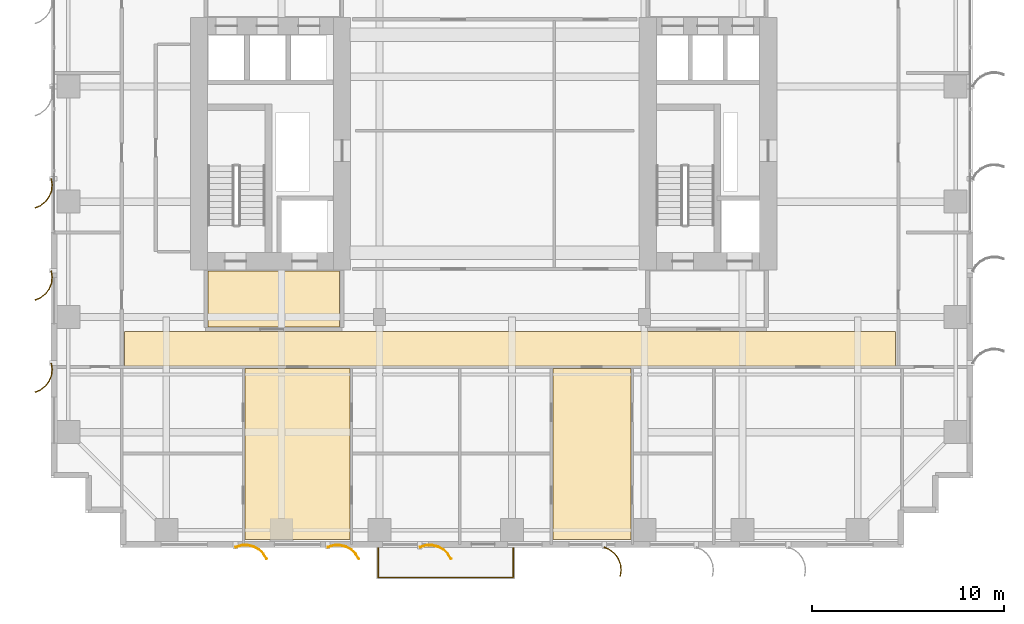
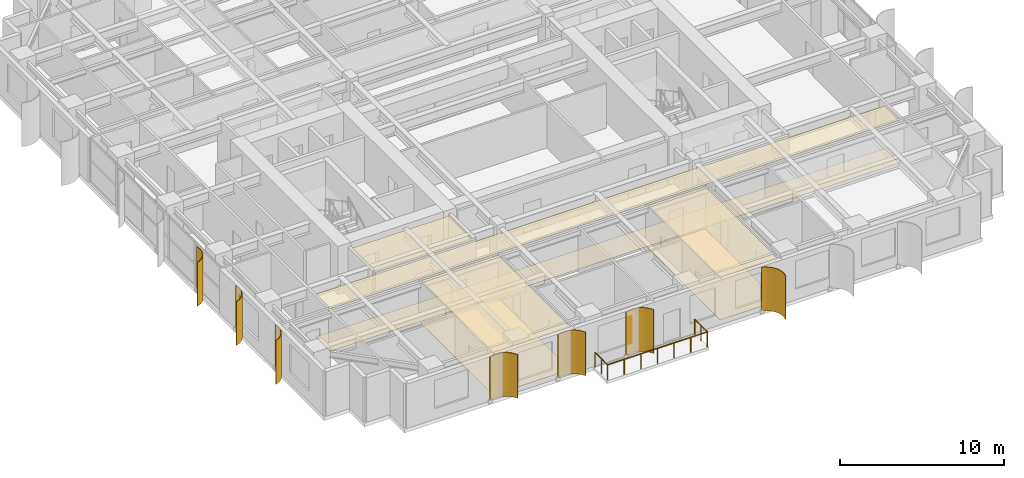
# One storey, part 15 of 18: 7 coverings, 7 shading devices, 1 railing.
"""IFC4 building model written with IfcOpenShell, lengths in metres."""

from ifc_helpers import new_model, si_unit, direction, frame, origin, origin_2d, place, context, subcontext, project, spatial, polyline, circle, outline, extrude, source, transform, mapped, material, layer, layer_set, type_object, element, save


model = new_model("IFC4")

# Units and contexts
model_context = context("Model", 3, precision=1e-05, world=origin(), true_north=direction((0.0, 1.0)))
body_context = subcontext(model_context, "Body", "Model", "MODEL_VIEW")
ifc_project = project(units=[si_unit("LENGTHUNIT", "METRE"), si_unit("AREAUNIT", "SQUARE_METRE"), si_unit("VOLUMEUNIT", "CUBIC_METRE"), si_unit("PLANEANGLEUNIT", "RADIAN"), si_unit("MASSUNIT", "GRAM", prefix="KILO")], contexts=[model_context])

# Site, building, storey
site_placement = place(None, origin())
site = spatial("IfcSite", under=ifc_project, at=site_placement, CompositionType="ELEMENT")
building_placement = place(site_placement, origin())
building = spatial("IfcBuilding", under=site, at=building_placement, Name="Khoralis Quay Care Tower", CompositionType="ELEMENT")
storey_placement = place(building_placement, frame((0.0, 0.0, 47.699951171875)))
storey = spatial("IfcBuildingStorey", under=building, at=storey_placement, Name="L12", CompositionType="ELEMENT", Elevation=47.699951171875)

# Coverings
ifc_material_1 = material(Name="Mineral-fibre acoustic ceiling tile")
ifc_layer_1 = layer(ifc_material_1, 0.01806640625)
ifc_layer_set_1 = layer_set([ifc_layer_1], Name="Mineral-fibre acoustic ceiling tile")
covering_type_1 = type_object("IfcCoveringType", Name="COV-CEIL-AC18", PredefinedType="CEILING", material=ifc_layer_set_1)
covering_1_placement = place(storey_placement, frame((0.0, 0.0, 3.172119140625)))
element("IfcCovering", 1, at=covering_1_placement, inside=storey, type_object=covering_type_1, Name="Suspended Acoustic Ceiling SP-L12-FFLOB-W", PredefinedType="CEILING", context=body_context, shape_type="SweptSolid", body=[
    extrude(outline(polyline([(8.179931640625, 11.47998046875), (15.02001953125, 11.47998046875), (15.02001953125, 14.39990234375), (8.179931640625, 14.39990234375), (8.179931640625, 11.47998046875)])), origin(), (0.0, 0.0, 1.0), 0.017822265625),
])
covering_2_placement = place(storey_placement, frame((0.0, 0.0, 3.172119140625)))
element("IfcCovering", 2, at=covering_2_placement, inside=storey, type_object=covering_type_1, Name="Suspended Acoustic Ceiling SP-L12-CORR-S", PredefinedType="CEILING", context=body_context, shape_type="SweptSolid", body=[
    extrude(outline(polyline([(3.820068359375, 9.43994140625), (43.97998046875, 9.43994140625), (43.97998046875, 11.239990234375), (3.820068359375, 11.239990234375), (3.820068359375, 9.43994140625)])), origin(), (0.0, 0.0, 1.0), 0.017822265625),
])
covering_3_placement = place(storey_placement, frame((0.0, 0.0, 3.172119140625)))
element("IfcCovering", 3, at=covering_3_placement, inside=storey, type_object=covering_type_1, Name="Suspended Acoustic Ceiling SP-L12-SB-F2LIV0", PredefinedType="CEILING", context=body_context, shape_type="SweptSolid", body=[
    extrude(outline(polyline([(10.095947265625, 0.419921875), (15.568115234375, 0.419921875), (15.568115234375, 9.320068359375), (10.095947265625, 9.320068359375), (10.095947265625, 0.419921875)])), origin(), (0.0, 0.0, 1.0), 0.017822265625),
])
covering_4_placement = place(storey_placement, frame((0.0, 0.0, 3.172119140625)))
element("IfcCovering", 4, at=covering_4_placement, inside=storey, type_object=covering_type_1, Name="Suspended Acoustic Ceiling SP-L12-SB-F2LIV1", PredefinedType="CEILING", context=body_context, shape_type="SweptSolid", body=[
    extrude(outline(polyline([(26.123046875, 0.419921875), (30.196044921875, 0.419921875), (30.196044921875, 9.320068359375), (26.123046875, 9.320068359375), (26.123046875, 0.419921875)])), origin(), (0.0, 0.0, 1.0), 0.017822265625),
])
ifc_material_2 = material(Name="Porcelain and non-slip vinyl flooring")
ifc_layer_2 = layer(ifc_material_2, 0.02001953125)
ifc_layer_set_2 = layer_set([ifc_layer_2], Name="Porcelain and non-slip vinyl flooring")
covering_type_2 = type_object("IfcCoveringType", Name="COV-FLOOR-20", PredefinedType="FLOORING", material=ifc_layer_set_2)
covering_5_placement = place(storey_placement, origin())
element("IfcCovering", 5, at=covering_5_placement, inside=storey, type_object=covering_type_2, Name="Resilient Healthcare Flooring SP-L12-CORR-S", PredefinedType="FLOORING", context=body_context, shape_type="SweptSolid", body=[
    extrude(outline(polyline([(3.820068359375, 9.43994140625), (43.97998046875, 9.43994140625), (43.97998046875, 11.239990234375), (3.820068359375, 11.239990234375), (3.820068359375, 9.43994140625)])), origin(), (0.0, 0.0, 1.0), 0.02001953125),
])
covering_6_placement = place(storey_placement, origin())
element("IfcCovering", 6, at=covering_6_placement, inside=storey, type_object=covering_type_2, Name="Resilient Healthcare Flooring SP-L12-SB-F2LIV0", PredefinedType="FLOORING", context=body_context, shape_type="SweptSolid", body=[
    extrude(outline(polyline([(10.095947265625, 0.419921875), (15.568115234375, 0.419921875), (15.568115234375, 9.320068359375), (10.095947265625, 9.320068359375), (10.095947265625, 0.419921875)])), origin(), (0.0, 0.0, 1.0), 0.02001953125),
])
covering_7_placement = place(storey_placement, origin())
element("IfcCovering", 7, at=covering_7_placement, inside=storey, type_object=covering_type_2, Name="Resilient Healthcare Flooring SP-L12-SB-F2LIV1", PredefinedType="FLOORING", context=body_context, shape_type="SweptSolid", body=[
    extrude(outline(polyline([(26.123046875, 0.419921875), (30.196044921875, 0.419921875), (30.196044921875, 9.320068359375), (26.123046875, 9.320068359375), (26.123046875, 0.419921875)])), origin(), (0.0, 0.0, 1.0), 0.02001953125),
])

# Railing
ifc_material_3 = material(Name="Pale anodised aluminium", Category="aluminium")
railing_type = type_object("IfcRailingType", Name="RL-BALUST-1150", PredefinedType="BALUSTRADE", material=ifc_material_3)
railing_placement = place(storey_placement, frame((17.030029296875, -0.0400390625, -0.06005859375)))
element("IfcRailing", 8, at=railing_placement, inside=storey, type_object=railing_type, Name="L12 Senior Loggia Balcony Guard", PredefinedType="BALUSTRADE", context=body_context, shape_type="SweptSolid", body=[
    extrude(circle(Radius=0.02392578125, at=origin_2d()), frame((0.0, 0.0, 1.1259765625), z_axis=(0.0, -1.0, 0.0), x_axis=(1.0, 0.0, 0.0)), (0.0, 0.0, 1.0), 1.530029296875),
    extrude(circle(Radius=0.02392578125, at=origin_2d()), frame((0.0, -1.530029296875, 1.1259765625), z_axis=(1.0, 0.0, 0.0), x_axis=(0.0, 1.0, 0.0)), (0.0, 0.0, 1.0), 7.0400390625),
    extrude(circle(Radius=0.02392578125, at=origin_2d()), frame((7.0400390625, -1.530029296875, 1.1259765625), z_axis=(0.0, 1.0, 0.0), x_axis=(-1.0, 0.0, 0.0)), (0.0, 0.0, 1.0), 1.530029296875),
    extrude(circle(Radius=0.02099609375, at=origin_2d()), origin(), (0.0, 0.0, 1.0), 1.101806640625),
    extrude(circle(Radius=0.02099609375, at=origin_2d()), frame((0.0, -0.76513671875, 0.0)), (0.0, 0.0, 1.0), 1.101806640625),
    extrude(circle(Radius=0.02099609375, at=origin_2d()), frame((0.0, -1.530029296875, 0.0)), (0.0, 0.0, 1.0), 1.101806640625),
    extrude(circle(Radius=0.02099609375, at=origin_2d()), frame((1.17333984375, -1.530029296875, 0.0)), (0.0, 0.0, 1.0), 1.101806640625),
    extrude(circle(Radius=0.02099609375, at=origin_2d()), frame((2.3466796875, -1.530029296875, 0.0)), (0.0, 0.0, 1.0), 1.101806640625),
    extrude(circle(Radius=0.02099609375, at=origin_2d()), frame((3.52001953125, -1.530029296875, 0.0)), (0.0, 0.0, 1.0), 1.101806640625),
    extrude(circle(Radius=0.02099609375, at=origin_2d()), frame((4.693359375, -1.530029296875, 0.0)), (0.0, 0.0, 1.0), 1.101806640625),
    extrude(circle(Radius=0.02099609375, at=origin_2d()), frame((5.86669921875, -1.530029296875, 0.0)), (0.0, 0.0, 1.0), 1.101806640625),
    extrude(circle(Radius=0.02099609375, at=origin_2d()), frame((7.0400390625, -1.530029296875, 0.0)), (0.0, 0.0, 1.0), 1.101806640625),
    extrude(circle(Radius=0.02099609375, at=origin_2d()), frame((7.0400390625, -0.76513671875, 0.0)), (0.0, 0.0, 1.0), 1.101806640625),
    extrude(circle(Radius=0.02099609375, at=origin_2d()), frame((7.0400390625, 0.0, 0.0)), (0.0, 0.0, 1.0), 1.101806640625),
])

# Shading devices
ifc_material_4 = material(Name="Brushed pale anodised aluminium", Category="aluminium")
ifc_layer_3 = layer(ifc_material_4, 0.044921875)
ifc_layer_set_3 = layer_set([ifc_layer_3], Name="Brushed pale anodised aluminium")
shading_device_type = type_object("IfcShadingDeviceType", Name="SHD-FIN-1250", PredefinedType="USERDEFINED", material=ifc_layer_set_3)
shared_shape_1 = source(origin(), body_context, "Body", "SweptSolid", [
    extrude(outline(polyline([(0.0, 0.0), (0.130126953125, 0.29931640625), (0.333251953125, 0.5546875), (0.595458984375, 0.748779296875), (0.899169921875, 0.868408203125), (1.223388671875, 0.9052734375), (1.546142578125, 0.85693359375), (1.53369140625, 0.813720703125), (1.22265625, 0.8603515625), (0.91015625, 0.82470703125), (0.617431640625, 0.70947265625), (0.364501953125, 0.522216796875), (0.168701171875, 0.276123046875), (0.043212890625, -0.012451171875), (0.0, 0.0)])), origin(), (0.0, 0.0, 1.0), 3.260009765625),
])
shading_device_placement = place(storey_placement, frame((28.800048828125, 0.030029296875, 0.02001953125), z_axis=(0.0, 0.0, 1.0), x_axis=(0.0, -1.0, 0.0)))
element("IfcShadingDevice", 9, at=shading_device_placement, inside=storey, type_object=shading_device_type, Name="L12 Curved Solar Fin P1E0-05", ObjectType="FIN", PredefinedType="USERDEFINED", context=body_context, shape_type="MappedRepresentation", body=[
    mapped(shared_shape_1, transform((0.0, 0.0, 0.0), scale=1.0)),
])
shared_shape_2 = source(origin(), body_context, "Body", "SweptSolid", [
    extrude(outline(polyline([(0.0, 0.0), (-0.04833984375, 0.32275390625), (-0.01123046875, 0.64697265625), (0.1083984375, 0.950439453125), (0.302490234375, 1.212890625), (0.557861328125, 1.416015625), (0.85693359375, 1.546142578125), (0.869384765625, 1.5029296875), (0.5810546875, 1.37744140625), (0.334716796875, 1.181640625), (0.147705078125, 0.9287109375), (0.032470703125, 0.635986328125), (-0.003173828125, 0.323486328125), (0.043212890625, 0.012451171875), (0.0, 0.0)])), origin(), (0.0, 0.0, 1.0), 3.260009765625),
])
for number, where, z_axis, x_axis, name in (
    (10, (0.030029296875, 19.199951171875, 0.02001953125), (0.0, 0.0, 1.0), (-1.0, 0.0, 0.0), "L12 Curved Solar Fin P1E15-05"),
    (11, (0.030029296875, 14.39990234375, 0.02001953125), (0.0, 0.0, 1.0), (-1.0, 0.0, 0.0), "L12 Curved Solar Fin P1E15-06"),
    (12, (0.030029296875, 9.60009765625, 0.02001953125), (0.0, 0.0, 1.0), (-1.0, 0.0, 0.0), "L12 Curved Solar Fin P1E15-07"),
):
    element("IfcShadingDevice", number, at=place(storey_placement, frame(where, z_axis=z_axis, x_axis=x_axis)), inside=storey, type_object=shading_device_type, Name=name, ObjectType="FIN", PredefinedType="USERDEFINED", context=body_context, shape_type="MappedRepresentation", body=[
        mapped(shared_shape_2, transform((0.0, 0.0, 0.0), scale=1.0)),
    ])
shared_shape_3 = source(origin(), body_context, "Body", "SweptSolid", [
    extrude(outline(polyline([(0.0, 0.0), (-0.0927734375, 0.31298828125), (-0.101318359375, 0.63916015625), (-0.025146484375, 0.956298828125), (0.130615234375, 1.2431640625), (0.355224609375, 1.479736328125), (0.633544921875, 1.650390625), (0.65185546875, 1.609130859375), (0.383544921875, 1.44482421875), (0.1669921875, 1.216796875), (0.01708984375, 0.940185546875), (-0.056396484375, 0.63427734375), (-0.04833984375, 0.31982421875), (0.041015625, 0.018310546875), (0.0, 0.0)])), origin(), (0.0, 0.0, 1.0), 3.260009765625),
])
for number, where, z_axis, x_axis, name in (
    (13, (9.60009765625, 0.030029296875, 0.02001953125), (0.0, 0.0, 1.0), (0.0, -1.0, 0.0), "L12 Curved Solar Fin P1E0-01"),
    (14, (14.39990234375, 0.030029296875, 0.02001953125), (0.0, 0.0, 1.0), (0.0, -1.0, 0.0), "L12 Curved Solar Fin P1E0-02"),
    (15, (19.199951171875, 0.030029296875, 0.02001953125), (0.0, 0.0, 1.0), (0.0, -1.0, 0.0), "L12 Curved Solar Fin P1E0-03"),
):
    element("IfcShadingDevice", number, at=place(storey_placement, frame(where, z_axis=z_axis, x_axis=x_axis)), inside=storey, type_object=shading_device_type, Name=name, ObjectType="FIN", PredefinedType="USERDEFINED", context=body_context, shape_type="MappedRepresentation", body=[
        mapped(shared_shape_3, transform((0.0, 0.0, 0.0), scale=1.0)),
    ])

save(model, "model.ifc")
